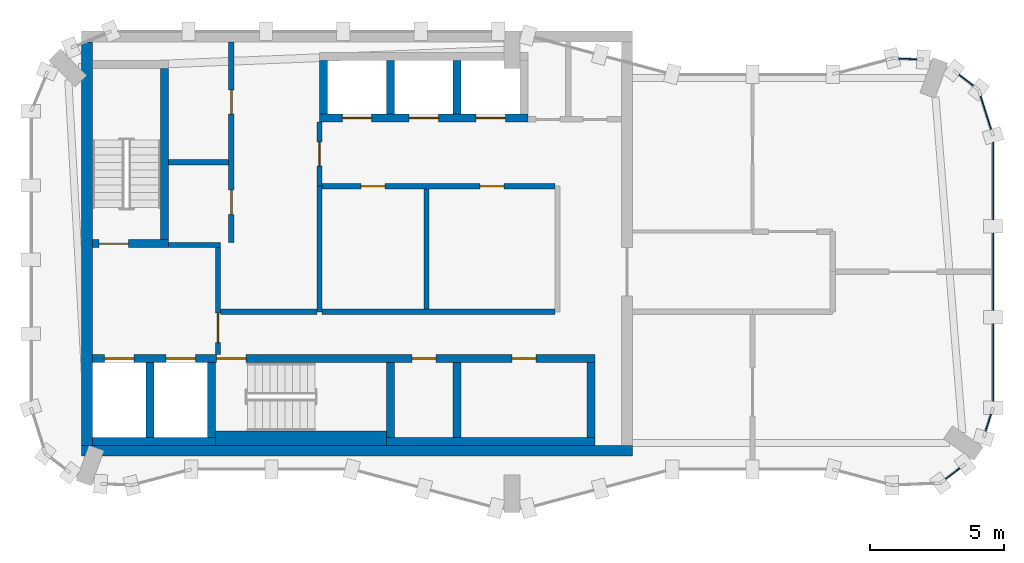
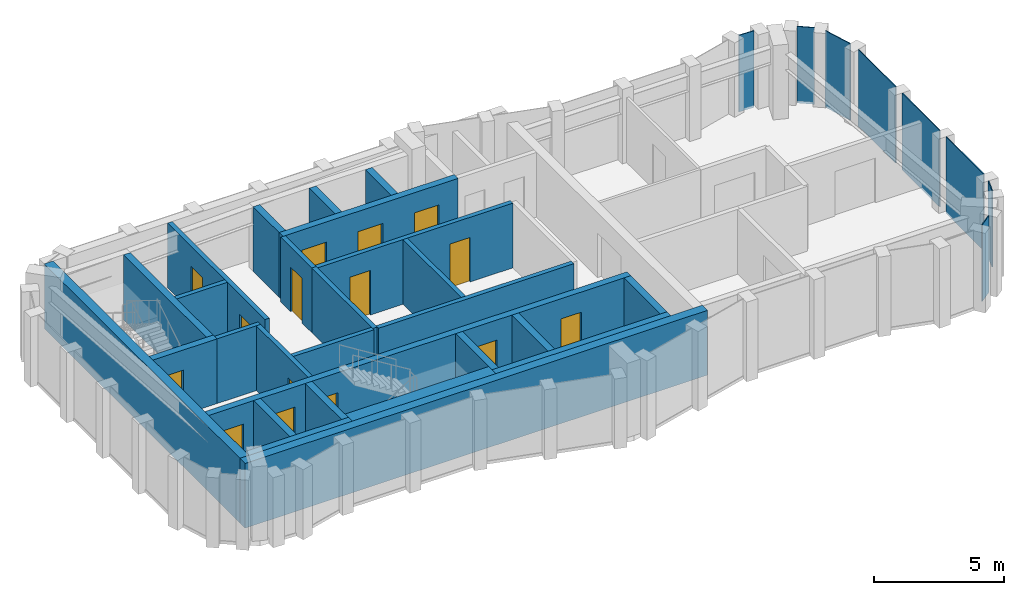
# One storey, part 3 of 5: 27 walls, 15 doors, 8 plates, 15 openings, 6 elements without a shape of their own.
"""IFC4 building model written with IfcOpenShell, lengths in metres."""

from ifc_helpers import new_model, si_unit, direction, frame, frame_2d, origin, origin_2d, place, context, subcontext, project, spatial, rectangle, extrude, material, layer, layer_set, type_object, element, fill, aggregate, save


model = new_model("IFC4")

# Units and contexts
model_context = context("Model", 3, precision=1e-05, world=origin(), true_north=direction((0.0, 1.0)))
body_context = subcontext(model_context, "Body", "Model", "MODEL_VIEW")
ifc_project = project(units=[si_unit("LENGTHUNIT", "METRE"), si_unit("AREAUNIT", "SQUARE_METRE"), si_unit("VOLUMEUNIT", "CUBIC_METRE"), si_unit("PLANEANGLEUNIT", "RADIAN"), si_unit("MASSUNIT", "GRAM", prefix="KILO")], contexts=[model_context])

# Site, building, storey
site_placement = place(None, origin())
site = spatial("IfcSite", under=ifc_project, at=site_placement, CompositionType="ELEMENT")
building_placement = place(site_placement, origin())
building = spatial("IfcBuilding", under=site, at=building_placement, Name="Plateau Cross Towers", CompositionType="ELEMENT")
storey_placement = place(building_placement, frame((0.0, 0.0, 298.39990234375)))
storey = spatial("IfcBuildingStorey", under=building, at=storey_placement, Name="L79 Crown 2", CompositionType="ELEMENT", Elevation=298.39990234375)

# Curtain wall, plate
ifc_material_1 = material(Name="Dark low-iron glass", Category="glass")
ifc_layer_1 = layer(ifc_material_1, 0.800048828125)
ifc_layer_set_1 = layer_set([ifc_layer_1], Name="Dark low-iron glass")
curtain_wall_type = type_object("IfcCurtainWallType", Name="Curtain wall sky lounge CW-D", PredefinedType="NOTDEFINED", material=ifc_layer_set_1)
curtain_wall_1_placement = place(storey_placement, origin())
curtain_wall_1 = element("IfcCurtainWall", 1, at=curtain_wall_1_placement, inside=storey, type_object=curtain_wall_type, Name="ENV/A/L79 Crown 2/A340_11", PredefinedType="NOTDEFINED")
ifc_layer_2 = layer(ifc_material_1, 0.0400390625)
ifc_layer_set_2 = layer_set([ifc_layer_2], Name="Dark low-iron glass")
plate_type = type_object("IfcPlateType", Name="Glass panel 40 sky lounge", PredefinedType="CURTAIN_PANEL", material=ifc_layer_set_2)
plate_1_placement = place(storey_placement, frame((34.48876953125, 1.445068359375, -0.10986328125), z_axis=(0.0, 0.0, 1.0), x_axis=(0.793315514529, 0.608810721331, 0.0)))
plate_1 = element("IfcPlate", 2, at=plate_1_placement, type_object=plate_type, Name="CW-D panel 1", PredefinedType="CURTAIN_PANEL", context=body_context, shape_type="SweptSolid", body=[
    extrude(rectangle(XDim=0.666259765625, YDim=0.0400390625, at=origin_2d()), origin(), (0.0, 0.0, 1.0), 3.610107421875),
])
aggregate(curtain_wall_1, [plate_1])

curtain_wall_2_placement = place(storey_placement, origin())
curtain_wall_2 = element("IfcCurtainWall", 3, at=curtain_wall_2_placement, inside=storey, type_object=curtain_wall_type, Name="ENV/A/L79 Crown 2/A356_28", PredefinedType="NOTDEFINED")
plate_2_placement = place(storey_placement, frame((35.82470703125, 3.35302734375, -0.10986328125), z_axis=(0.0, 0.0, 1.0), x_axis=(0.300686174994, 0.95372313811, 0.0)))
plate_2 = element("IfcPlate", 4, at=plate_2_placement, type_object=plate_type, Name="CW-D panel 1", PredefinedType="CURTAIN_PANEL", context=body_context, shape_type="SweptSolid", body=[
    extrude(rectangle(XDim=0.666259765625, YDim=0.0400390625, at=origin_2d()), origin(), (0.0, 0.0, 1.0), 3.610107421875),
])
aggregate(curtain_wall_2, [plate_2])

# Curtain wall, plates
curtain_wall_3_placement = place(storey_placement, origin())
curtain_wall_3 = element("IfcCurtainWall", 5, at=curtain_wall_3_placement, inside=storey, type_object=curtain_wall_type, Name="ENV/A/L79 Crown 2/A360_39", PredefinedType="NOTDEFINED")
plate_3_placement = place(storey_placement, frame((36.0, 5.606201171875, -0.10986328125), z_axis=(0.0, 0.0, 1.0), x_axis=(0.0, 1.0, 0.0)))
plate_3 = element("IfcPlate", 6, at=plate_3_placement, type_object=plate_type, Name="CW-D panel 1", PredefinedType="CURTAIN_PANEL", context=body_context, shape_type="SweptSolid", body=[
    extrude(rectangle(XDim=2.893798828125, YDim=0.0400390625, at=origin_2d()), origin(), (0.0, 0.0, 1.0), 3.610107421875),
])
plate_4_placement = place(storey_placement, frame((36.0, 9.0, -0.10986328125), z_axis=(0.0, 0.0, 1.0), x_axis=(0.0, 1.0, 0.0)))
plate_4 = element("IfcPlate", 7, at=plate_4_placement, type_object=plate_type, Name="CW-D panel 2", PredefinedType="CURTAIN_PANEL", context=body_context, shape_type="SweptSolid", body=[
    extrude(rectangle(XDim=2.893798828125, YDim=0.0400390625, at=origin_2d()), origin(), (0.0, 0.0, 1.0), 3.610107421875),
])
plate_5_placement = place(storey_placement, frame((36.0, 12.393798828125, -0.10986328125), z_axis=(0.0, 0.0, 1.0), x_axis=(0.0, 1.0, 0.0)))
plate_5 = element("IfcPlate", 8, at=plate_5_placement, type_object=plate_type, Name="CW-D panel 3", PredefinedType="CURTAIN_PANEL", context=body_context, shape_type="SweptSolid", body=[
    extrude(rectangle(XDim=2.893798828125, YDim=0.0400390625, at=origin_2d()), origin(), (0.0, 0.0, 1.0), 3.610107421875),
])
aggregate(curtain_wall_3, [plate_3, plate_4, plate_5])

# Curtain wall, plate
curtain_wall_4_placement = place(storey_placement, origin())
curtain_wall_4 = element("IfcCurtainWall", 9, at=curtain_wall_4_placement, inside=storey, type_object=curtain_wall_type, Name="ENV/A/L79 Crown 2/A360_141", PredefinedType="NOTDEFINED")
plate_6_placement = place(storey_placement, frame((35.728759765625, 14.951171875, -0.10986328125), z_axis=(0.0, 0.0, 1.0), x_axis=(-0.300686174994, 0.95372313811, 0.0)))
plate_6 = element("IfcPlate", 10, at=plate_6_placement, type_object=plate_type, Name="CW-D panel 1", PredefinedType="CURTAIN_PANEL", context=body_context, shape_type="SweptSolid", body=[
    extrude(rectangle(XDim=1.30419921875, YDim=0.0400390625, at=origin_2d()), origin(), (0.0, 0.0, 1.0), 3.610107421875),
])
aggregate(curtain_wall_4, [plate_6])

curtain_wall_5_placement = place(storey_placement, origin())
curtain_wall_5 = element("IfcCurtainWall", 11, at=curtain_wall_5_placement, inside=storey, type_object=curtain_wall_type, Name="ENV/A/L79 Crown 2/A355_158", PredefinedType="NOTDEFINED")
plate_7_placement = place(storey_placement, frame((34.994873046875, 16.16650390625, -0.10986328125), z_axis=(0.0, 0.0, 1.0), x_axis=(-0.793315514529, 0.608810721331, 0.0)))
plate_7 = element("IfcPlate", 12, at=plate_7_placement, type_object=plate_type, Name="CW-D panel 1", PredefinedType="CURTAIN_PANEL", context=body_context, shape_type="SweptSolid", body=[
    extrude(rectangle(XDim=0.666259765625, YDim=0.0400390625, at=origin_2d()), origin(), (0.0, 0.0, 1.0), 3.610107421875),
])
aggregate(curtain_wall_5, [plate_7])

curtain_wall_6_placement = place(storey_placement, origin())
curtain_wall_6 = element("IfcCurtainWall", 13, at=curtain_wall_6_placement, inside=storey, type_object=curtain_wall_type, Name="ENV/A/L79 Crown 2/A334_169", PredefinedType="NOTDEFINED")
plate_8_placement = place(storey_placement, frame((32.806396484375, 16.963134765625, -0.10986328125), z_axis=(0.0, 0.0, 1.0), x_axis=(-0.999043701491, 0.043722791671, 0.0)))
plate_8 = element("IfcPlate", 14, at=plate_8_placement, type_object=plate_type, Name="CW-D panel 1", PredefinedType="CURTAIN_PANEL", context=body_context, shape_type="SweptSolid", body=[
    extrude(rectangle(XDim=0.666259765625, YDim=0.0400390625, at=origin_2d()), origin(), (0.0, 0.0, 1.0), 3.610107421875),
])
aggregate(curtain_wall_6, [plate_8])

# Wall, opening, door
ifc_material_2 = material(Name="Concrete block, plastered both sides", Category="concrete")
ifc_layer_3 = layer(ifc_material_2, 0.199951171875)
ifc_layer_set_3 = layer_set([ifc_layer_3], Name="Concrete block, plastered both sides")
wall_type_1 = type_object("IfcWallType", Name="Core partition 200", PredefinedType="PARTITIONING", material=ifc_layer_set_3)
wall_1_placement = place(storey_placement, frame((7.0, 5.89990234375, 0.0), z_axis=(0.0, 0.0, 1.0), x_axis=(0.0, 1.0, 0.0)))
wall_1 = element("IfcWall", 15, at=wall_1_placement, inside=storey, type_object=wall_type_1, Name="Core partition", PredefinedType="PARTITIONING", context=body_context, shape_type="SweptSolid", body=[
    extrude(rectangle(XDim=4.0, YDim=0.199951171875, at=frame_2d((2.0, 0.0))), origin(), (0.0, 0.0, 1.0), 3.050048828125),
])
opening_1_placement = place(wall_1_placement, frame((0.449951171875, 0.0, 0.0)))
opening_1 = element("IfcOpeningElement", 16, at=opening_1_placement, cuts=wall_1, Name="Opening FFD", PredefinedType="OPENING", context=body_context, shape_type="SweptSolid", body=[
    extrude(rectangle(XDim=1.10009765625, YDim=2.10009765625, at=frame_2d((0.550048828125, 1.050048828125))), frame((0.0, 0.10986328125, 0.0), z_axis=(0.0, -1.0, 0.0), x_axis=(1.0, 0.0, 0.0)), (0.0, 0.0, 1.0), 0.219970703125),
])
ifc_material_3 = material(Name="Steel, fire-resisting leaf", Category="steel")
door_type_1 = type_object("IfcDoorType", Name="Firefighting lobby door 1100", OperationType="NOTDEFINED", PredefinedType="DOOR", material=ifc_material_3)
door_1_placement = place(opening_1_placement, origin())
door_1 = element("IfcDoor", 17, at=door_1_placement, inside=storey, type_object=door_type_1, Name="Firefighting lobby door FFD", OperationType="SINGLE_SWING_LEFT", OverallHeight=2.10009765625, OverallWidth=1.10009765625, PredefinedType="DOOR", context=body_context, shape_type="SweptSolid", body=[
    extrude(rectangle(XDim=1.10009765625, YDim=2.10009765625, at=frame_2d((0.550048828125, 1.050048828125))), frame((0.0, 0.02490234375, 0.0), z_axis=(0.0, -1.0, 0.0), x_axis=(1.0, 0.0, 0.0)), (0.0, 0.0, 1.0), 0.050048828125),
])
fill(opening_1, door_1)

# Walls
wall_2_placement = place(storey_placement, frame((5.14990234375, 10.0, 0.0), z_axis=(0.0, 0.0, 1.0), x_axis=(1.0, 0.0, 0.0)))
element("IfcWall", 18, at=wall_2_placement, inside=storey, type_object=wall_type_1, Name="Core partition", PredefinedType="PARTITIONING", context=body_context, shape_type="SweptSolid", body=[
    extrude(rectangle(XDim=1.9501953125, YDim=0.199951171875, at=frame_2d((0.97509765625, 0.0))), origin(), (0.0, 0.0, 1.0), 3.050048828125),
])
wall_3_placement = place(storey_placement, frame((7.10009765625, 7.5, 0.0), z_axis=(0.0, 0.0, 1.0), x_axis=(1.0, 0.0, 0.0)))
element("IfcWall", 19, at=wall_3_placement, inside=storey, type_object=wall_type_1, Name="Core partition", PredefinedType="PARTITIONING", context=body_context, shape_type="SweptSolid", body=[
    extrude(rectangle(XDim=3.599853515625, YDim=0.199951171875, at=frame_2d((1.7998046875, 0.0))), origin(), (0.0, 0.0, 1.0), 3.050048828125),
])

# Wall, opening, door
wall_4_placement = place(storey_placement, frame((10.800048828125, 12.199951171875, 0.0), z_axis=(0.0, 0.0, 1.0), x_axis=(0.0, 1.0, 0.0)))
wall_4 = element("IfcWall", 20, at=wall_4_placement, inside=storey, type_object=wall_type_1, Name="Core partition", PredefinedType="PARTITIONING", context=body_context, shape_type="SweptSolid", body=[
    extrude(rectangle(XDim=2.400146484375, YDim=0.199951171875, at=frame_2d((1.2001953125, 0.0))), origin(), (0.0, 0.0, 1.0), 3.050048828125),
])
opening_2_placement = place(wall_4_placement, frame((0.75, 0.0, 0.0)))
opening_2 = element("IfcOpeningElement", 21, at=opening_2_placement, cuts=wall_4, Name="Opening RD1", PredefinedType="OPENING", context=body_context, shape_type="SweptSolid", body=[
    extrude(rectangle(XDim=0.89990234375, YDim=2.10009765625, at=frame_2d((0.449951171875, 1.050048828125))), frame((0.0, 0.10986328125, 0.0), z_axis=(0.0, -1.0, 0.0), x_axis=(1.0, 0.0, 0.0)), (0.0, 0.0, 1.0), 0.219970703125),
])
ifc_material_4 = material(Name="Timber, fire-resisting leaf", Category="wood")
door_type_2 = type_object("IfcDoorType", Name="Core service door 900", OperationType="NOTDEFINED", PredefinedType="DOOR", material=ifc_material_4)
door_2_placement = place(opening_2_placement, origin())
door_2 = element("IfcDoor", 22, at=door_2_placement, inside=storey, type_object=door_type_2, Name="Core service door RD1", OperationType="SINGLE_SWING_LEFT", OverallHeight=2.10009765625, OverallWidth=0.89990234375, PredefinedType="DOOR", context=body_context, shape_type="SweptSolid", body=[
    extrude(rectangle(XDim=0.89990234375, YDim=2.10009765625, at=frame_2d((0.449951171875, 1.050048828125))), frame((0.0, 0.02490234375, 0.0), z_axis=(0.0, -1.0, 0.0), x_axis=(1.0, 0.0, 0.0)), (0.0, 0.0, 1.0), 0.050048828125),
])
fill(opening_2, door_2)

# Walls
wall_5_placement = place(storey_placement, frame((10.800048828125, 7.5, 0.0), z_axis=(0.0, 0.0, 1.0), x_axis=(0.0, 1.0, 0.0)))
element("IfcWall", 23, at=wall_5_placement, inside=storey, type_object=wall_type_1, Name="Core partition", PredefinedType="PARTITIONING", context=body_context, shape_type="SweptSolid", body=[
    extrude(rectangle(XDim=4.699951171875, YDim=0.199951171875, at=frame_2d((2.35009765625, 0.0))), origin(), (0.0, 0.0, 1.0), 3.050048828125),
])
wall_6_placement = place(storey_placement, frame((10.89990234375, 7.5, 0.0), z_axis=(0.0, 0.0, 1.0), x_axis=(1.0, 0.0, 0.0)))
element("IfcWall", 24, at=wall_6_placement, inside=storey, type_object=wall_type_1, Name="Core partition", PredefinedType="PARTITIONING", context=body_context, shape_type="SweptSolid", body=[
    extrude(rectangle(XDim=8.7001953125, YDim=0.199951171875, at=frame_2d((4.35009765625, 0.0))), origin(), (0.0, 0.0, 1.0), 3.050048828125),
])

# Wall, openings, doors
wall_7_placement = place(storey_placement, frame((10.89990234375, 12.199951171875, 0.0), z_axis=(0.0, 0.0, 1.0), x_axis=(1.0, 0.0, 0.0)))
wall_7 = element("IfcWall", 25, at=wall_7_placement, inside=storey, type_object=wall_type_1, Name="Core partition", PredefinedType="PARTITIONING", context=body_context, shape_type="SweptSolid", body=[
    extrude(rectangle(XDim=8.7001953125, YDim=0.199951171875, at=frame_2d((4.35009765625, 0.0))), origin(), (0.0, 0.0, 1.0), 3.050048828125),
])
opening_3_placement = place(wall_7_placement, frame((1.449951171875, 0.0, 0.0)))
opening_3 = element("IfcOpeningElement", 26, at=opening_3_placement, cuts=wall_7, Name="Opening RD1", PredefinedType="OPENING", context=body_context, shape_type="SweptSolid", body=[
    extrude(rectangle(XDim=0.89990234375, YDim=2.10009765625, at=frame_2d((0.449951171875, 1.050048828125))), frame((0.0, 0.10986328125, 0.0), z_axis=(0.0, -1.0, 0.0), x_axis=(1.0, 0.0, 0.0)), (0.0, 0.0, 1.0), 0.219970703125),
])
opening_4_placement = place(wall_7_placement, frame((5.89990234375, 0.0, 0.0)))
opening_4 = element("IfcOpeningElement", 27, at=opening_4_placement, cuts=wall_7, Name="Opening RD1", PredefinedType="OPENING", context=body_context, shape_type="SweptSolid", body=[
    extrude(rectangle(XDim=0.89990234375, YDim=2.10009765625, at=frame_2d((0.449951171875, 1.050048828125))), frame((0.0, 0.10986328125, 0.0), z_axis=(0.0, -1.0, 0.0), x_axis=(1.0, 0.0, 0.0)), (0.0, 0.0, 1.0), 0.219970703125),
])
door_3_placement = place(opening_3_placement, origin())
door_3 = element("IfcDoor", 28, at=door_3_placement, inside=storey, type_object=door_type_2, Name="Core service door RD1", OperationType="SINGLE_SWING_LEFT", OverallHeight=2.10009765625, OverallWidth=0.89990234375, PredefinedType="DOOR", context=body_context, shape_type="SweptSolid", body=[
    extrude(rectangle(XDim=0.89990234375, YDim=2.10009765625, at=frame_2d((0.449951171875, 1.050048828125))), frame((0.0, 0.02490234375, 0.0), z_axis=(0.0, -1.0, 0.0), x_axis=(1.0, 0.0, 0.0)), (0.0, 0.0, 1.0), 0.050048828125),
])
fill(opening_3, door_3)
door_4_placement = place(opening_4_placement, origin())
door_4 = element("IfcDoor", 29, at=door_4_placement, inside=storey, type_object=door_type_2, Name="Core service door RD1", OperationType="SINGLE_SWING_LEFT", OverallHeight=2.10009765625, OverallWidth=0.89990234375, PredefinedType="DOOR", context=body_context, shape_type="SweptSolid", body=[
    extrude(rectangle(XDim=0.89990234375, YDim=2.10009765625, at=frame_2d((0.449951171875, 1.050048828125))), frame((0.0, 0.02490234375, 0.0), z_axis=(0.0, -1.0, 0.0), x_axis=(1.0, 0.0, 0.0)), (0.0, 0.0, 1.0), 0.050048828125),
])
fill(opening_4, door_4)

# Wall
wall_8_placement = place(storey_placement, frame((14.800048828125, 7.60009765625, 0.0), z_axis=(0.0, 0.0, 1.0), x_axis=(0.0, 1.0, 0.0)))
element("IfcWall", 30, at=wall_8_placement, inside=storey, type_object=wall_type_1, Name="Core partition", PredefinedType="PARTITIONING", context=body_context, shape_type="SweptSolid", body=[
    extrude(rectangle(XDim=4.5, YDim=0.199951171875, at=frame_2d((2.25, 0.0))), origin(), (0.0, 0.0, 1.0), 3.050048828125),
])

# Wall, openings, doors
wall_9_placement = place(storey_placement, frame((7.5, 10.10009765625, 0.0), z_axis=(0.0, 0.0, 1.0), x_axis=(0.0, 1.0, 0.0)))
wall_9 = element("IfcWall", 31, at=wall_9_placement, inside=storey, type_object=wall_type_1, Name="Core partition", PredefinedType="PARTITIONING", context=body_context, shape_type="SweptSolid", body=[
    extrude(rectangle(XDim=7.5, YDim=0.199951171875, at=frame_2d((3.75, 0.0))), origin(), (0.0, 0.0, 1.0), 3.050048828125),
])
opening_5_placement = place(wall_9_placement, frame((1.050048828125, 0.0, 0.0)))
opening_5 = element("IfcOpeningElement", 32, at=opening_5_placement, cuts=wall_9, Name="Opening RD1", PredefinedType="OPENING", context=body_context, shape_type="SweptSolid", body=[
    extrude(rectangle(XDim=0.89990234375, YDim=2.10009765625, at=frame_2d((0.449951171875, 1.050048828125))), frame((0.0, 0.10986328125, 0.0), z_axis=(0.0, -1.0, 0.0), x_axis=(1.0, 0.0, 0.0)), (0.0, 0.0, 1.0), 0.219970703125),
])
opening_6_placement = place(wall_9_placement, frame((4.800048828125, 0.0, 0.0)))
opening_6 = element("IfcOpeningElement", 33, at=opening_6_placement, cuts=wall_9, Name="Opening RD1", PredefinedType="OPENING", context=body_context, shape_type="SweptSolid", body=[
    extrude(rectangle(XDim=0.89990234375, YDim=2.10009765625, at=frame_2d((0.449951171875, 1.050048828125))), frame((0.0, 0.10986328125, 0.0), z_axis=(0.0, -1.0, 0.0), x_axis=(1.0, 0.0, 0.0)), (0.0, 0.0, 1.0), 0.219970703125),
])
door_5_placement = place(opening_5_placement, origin())
door_5 = element("IfcDoor", 34, at=door_5_placement, inside=storey, type_object=door_type_2, Name="Core service door RD1", OperationType="SINGLE_SWING_RIGHT", OverallHeight=2.10009765625, OverallWidth=0.89990234375, PredefinedType="DOOR", context=body_context, shape_type="SweptSolid", body=[
    extrude(rectangle(XDim=0.89990234375, YDim=2.10009765625, at=frame_2d((0.449951171875, 1.050048828125))), frame((0.0, 0.02490234375, 0.0), z_axis=(0.0, -1.0, 0.0), x_axis=(1.0, 0.0, 0.0)), (0.0, 0.0, 1.0), 0.050048828125),
])
fill(opening_5, door_5)
door_6_placement = place(opening_6_placement, origin())
door_6 = element("IfcDoor", 35, at=door_6_placement, inside=storey, type_object=door_type_2, Name="Core service door RD1", OperationType="SINGLE_SWING_RIGHT", OverallHeight=2.10009765625, OverallWidth=0.89990234375, PredefinedType="DOOR", context=body_context, shape_type="SweptSolid", body=[
    extrude(rectangle(XDim=0.89990234375, YDim=2.10009765625, at=frame_2d((0.449951171875, 1.050048828125))), frame((0.0, 0.02490234375, 0.0), z_axis=(0.0, -1.0, 0.0), x_axis=(1.0, 0.0, 0.0)), (0.0, 0.0, 1.0), 0.050048828125),
])
fill(opening_6, door_6)

# Walls
wall_10_placement = place(storey_placement, frame((5.14990234375, 13.10009765625, 0.0), z_axis=(0.0, 0.0, 1.0), x_axis=(1.0, 0.0, 0.0)))
element("IfcWall", 36, at=wall_10_placement, inside=storey, type_object=wall_type_1, Name="Core partition", PredefinedType="PARTITIONING", context=body_context, shape_type="SweptSolid", body=[
    extrude(rectangle(XDim=2.25, YDim=0.199951171875, at=frame_2d((1.125, 0.0))), origin(), (0.0, 0.0, 1.0), 3.050048828125),
])
ifc_material_5 = material(Name="Concrete C60/75", Category="concrete")
ifc_layer_4 = layer(ifc_material_5, 0.300048828125)
ifc_layer_set_4 = layer_set([ifc_layer_4], Name="Concrete C60/75")
wall_type_2 = type_object("IfcWallType", Name="Core shaft wall 300", PredefinedType="SHEAR", material=ifc_layer_set_4)
wall_11_placement = place(storey_placement, frame((2.300048828125, 2.64990234375, 0.0), z_axis=(0.0, 0.0, 1.0), x_axis=(1.0, 0.0, 0.0)))
element("IfcWall", 37, at=wall_11_placement, inside=storey, type_object=wall_type_2, Name="A-sb-back1@L79 Crown 2", PredefinedType="SHEAR", context=body_context, shape_type="SweptSolid", body=[
    extrude(rectangle(XDim=4.599853515625, YDim=0.300048828125, at=frame_2d((2.2998046875, 0.0))), origin(), (0.0, 0.0, 1.0), 3.050048828125),
])
wall_12_placement = place(storey_placement, frame((13.300048828125, 2.64990234375, 0.0), z_axis=(0.0, 0.0, 1.0), x_axis=(1.0, 0.0, 0.0)))
element("IfcWall", 38, at=wall_12_placement, inside=storey, type_object=wall_type_2, Name="A-sb-back3@L79 Crown 2", PredefinedType="SHEAR", context=body_context, shape_type="SweptSolid", body=[
    extrude(rectangle(XDim=7.800048828125, YDim=0.300048828125, at=frame_2d((3.89990234375, 0.0))), origin(), (0.0, 0.0, 1.0), 3.050048828125),
])
for number, where, z_axis, x_axis, name in (
    (39, (4.449951171875, 2.800048828125, 0.0), (0.0, 0.0, 1.0), (0.0, 1.0, 0.0), "A-sb-v1@L79 Crown 2"),
    (40, (6.75, 2.800048828125, 0.0), (0.0, 0.0, 1.0), (0.0, 1.0, 0.0), "A-sb-v2@L79 Crown 2"),
    (41, (13.449951171875, 2.800048828125, 0.0), (0.0, 0.0, 1.0), (0.0, 1.0, 0.0), "A-sb-v3@L79 Crown 2"),
    (42, (15.949951171875, 2.800048828125, 0.0), (0.0, 0.0, 1.0), (0.0, 1.0, 0.0), "A-sb-v4@L79 Crown 2"),
    (43, (20.949951171875, 2.800048828125, 0.0), (0.0, 0.0, 1.0), (0.0, 1.0, 0.0), "A-sb-v6@L79 Crown 2"),
):
    element("IfcWall", number, at=place(storey_placement, frame(where, z_axis=z_axis, x_axis=x_axis)), inside=storey, type_object=wall_type_2, Name=name, PredefinedType="SHEAR", context=body_context, shape_type="SweptSolid", body=[
        extrude(rectangle(XDim=2.800048828125, YDim=0.300048828125, at=frame_2d((1.39990234375, 0.0))), origin(), (0.0, 0.0, 1.0), 3.050048828125),
    ])

# Wall, openings, doors
wall_13_placement = place(storey_placement, frame((2.300048828125, 5.75, 0.0), z_axis=(0.0, 0.0, 1.0), x_axis=(1.0, 0.0, 0.0)))
wall_13 = element("IfcWall", 44, at=wall_13_placement, inside=storey, type_object=wall_type_2, Name="A-sb-front@L79 Crown 2", PredefinedType="SHEAR", context=body_context, shape_type="SweptSolid", body=[
    extrude(rectangle(XDim=18.800048828125, YDim=0.300048828125, at=frame_2d((9.39990234375, 0.0))), origin(), (0.0, 0.0, 1.0), 3.050048828125),
])
opening_7_placement = place(wall_13_placement, frame((4.64990234375, 0.0, 0.0)))
opening_7 = element("IfcOpeningElement", 45, at=opening_7_placement, cuts=wall_13, Name="Opening SD", PredefinedType="OPENING", context=body_context, shape_type="SweptSolid", body=[
    extrude(rectangle(XDim=1.10009765625, YDim=2.10009765625, at=frame_2d((0.550048828125, 1.050048828125))), frame((0.0, 0.159912109375, 0.0), z_axis=(0.0, -1.0, 0.0), x_axis=(1.0, 0.0, 0.0)), (0.0, 0.0, 1.0), 0.320068359375),
])
opening_8_placement = place(wall_13_placement, frame((0.449951171875, 0.0, 0.0)))
opening_8 = element("IfcOpeningElement", 46, at=opening_8_placement, cuts=wall_13, Name="Opening LD", PredefinedType="OPENING", context=body_context, shape_type="SweptSolid", body=[
    extrude(rectangle(XDim=1.10009765625, YDim=2.10009765625, at=frame_2d((0.550048828125, 1.050048828125))), frame((0.0, 0.159912109375, 0.0), z_axis=(0.0, -1.0, 0.0), x_axis=(1.0, 0.0, 0.0)), (0.0, 0.0, 1.0), 0.320068359375),
])
opening_9_placement = place(wall_13_placement, frame((2.75, 0.0, 0.0)))
opening_9 = element("IfcOpeningElement", 47, at=opening_9_placement, cuts=wall_13, Name="Opening LD", PredefinedType="OPENING", context=body_context, shape_type="SweptSolid", body=[
    extrude(rectangle(XDim=1.10009765625, YDim=2.10009765625, at=frame_2d((0.550048828125, 1.050048828125))), frame((0.0, 0.159912109375, 0.0), z_axis=(0.0, -1.0, 0.0), x_axis=(1.0, 0.0, 0.0)), (0.0, 0.0, 1.0), 0.320068359375),
])
opening_10_placement = place(wall_13_placement, frame((11.949951171875, 0.0, 0.0)))
opening_10 = element("IfcOpeningElement", 48, at=opening_10_placement, cuts=wall_13, Name="Opening RD2", PredefinedType="OPENING", context=body_context, shape_type="SweptSolid", body=[
    extrude(rectangle(XDim=0.89990234375, YDim=2.10009765625, at=frame_2d((0.449951171875, 1.050048828125))), frame((0.0, 0.159912109375, 0.0), z_axis=(0.0, -1.0, 0.0), x_axis=(1.0, 0.0, 0.0)), (0.0, 0.0, 1.0), 0.320068359375),
])
opening_11_placement = place(wall_13_placement, frame((15.699951171875, 0.0, 0.0)))
opening_11 = element("IfcOpeningElement", 49, at=opening_11_placement, cuts=wall_13, Name="Opening RD2", PredefinedType="OPENING", context=body_context, shape_type="SweptSolid", body=[
    extrude(rectangle(XDim=0.89990234375, YDim=2.10009765625, at=frame_2d((0.449951171875, 1.050048828125))), frame((0.0, 0.159912109375, 0.0), z_axis=(0.0, -1.0, 0.0), x_axis=(1.0, 0.0, 0.0)), (0.0, 0.0, 1.0), 0.320068359375),
])
door_type_3 = type_object("IfcDoorType", Name="Core riser door 900", OperationType="NOTDEFINED", PredefinedType="DOOR", material=ifc_material_3)
door_7_placement = place(opening_10_placement, origin())
door_7 = element("IfcDoor", 50, at=door_7_placement, inside=storey, type_object=door_type_3, Name="Core riser door RD2", OperationType="SINGLE_SWING_LEFT", OverallHeight=2.10009765625, OverallWidth=0.89990234375, PredefinedType="DOOR", context=body_context, shape_type="SweptSolid", body=[
    extrude(rectangle(XDim=0.89990234375, YDim=2.10009765625, at=frame_2d((0.449951171875, 1.050048828125))), frame((0.0, 0.02490234375, 0.0), z_axis=(0.0, -1.0, 0.0), x_axis=(1.0, 0.0, 0.0)), (0.0, 0.0, 1.0), 0.050048828125),
])
fill(opening_10, door_7)
door_8_placement = place(opening_11_placement, origin())
door_8 = element("IfcDoor", 51, at=door_8_placement, inside=storey, type_object=door_type_3, Name="Core riser door RD2", OperationType="SINGLE_SWING_LEFT", OverallHeight=2.10009765625, OverallWidth=0.89990234375, PredefinedType="DOOR", context=body_context, shape_type="SweptSolid", body=[
    extrude(rectangle(XDim=0.89990234375, YDim=2.10009765625, at=frame_2d((0.449951171875, 1.050048828125))), frame((0.0, 0.02490234375, 0.0), z_axis=(0.0, -1.0, 0.0), x_axis=(1.0, 0.0, 0.0)), (0.0, 0.0, 1.0), 0.050048828125),
])
fill(opening_11, door_8)
ifc_material_6 = material(Name="Stainless steel, fire-resisting sliding leaves", Category="steel")
door_type_4 = type_object("IfcDoorType", Name="Lift landing door 1100", OperationType="NOTDEFINED", PredefinedType="DOOR", material=ifc_material_6)
door_9_placement = place(opening_8_placement, origin())
door_9 = element("IfcDoor", 52, at=door_9_placement, inside=storey, type_object=door_type_4, Name="Lift landing door LD", OperationType="DOUBLE_DOOR_SLIDING", OverallHeight=2.10009765625, OverallWidth=1.10009765625, PredefinedType="DOOR", context=body_context, shape_type="SweptSolid", body=[
    extrude(rectangle(XDim=1.10009765625, YDim=2.10009765625, at=frame_2d((0.550048828125, 1.050048828125))), frame((0.0, 0.02490234375, 0.0), z_axis=(0.0, -1.0, 0.0), x_axis=(1.0, 0.0, 0.0)), (0.0, 0.0, 1.0), 0.050048828125),
])
fill(opening_8, door_9)
door_10_placement = place(opening_9_placement, origin())
door_10 = element("IfcDoor", 53, at=door_10_placement, inside=storey, type_object=door_type_4, Name="Lift landing door LD", OperationType="DOUBLE_DOOR_SLIDING", OverallHeight=2.10009765625, OverallWidth=1.10009765625, PredefinedType="DOOR", context=body_context, shape_type="SweptSolid", body=[
    extrude(rectangle(XDim=1.10009765625, YDim=2.10009765625, at=frame_2d((0.550048828125, 1.050048828125))), frame((0.0, 0.02490234375, 0.0), z_axis=(0.0, -1.0, 0.0), x_axis=(1.0, 0.0, 0.0)), (0.0, 0.0, 1.0), 0.050048828125),
])
fill(opening_9, door_10)
door_type_5 = type_object("IfcDoorType", Name="Stair door 1100", OperationType="NOTDEFINED", PredefinedType="DOOR", material=ifc_material_3)
door_11_placement = place(opening_7_placement, origin())
door_11 = element("IfcDoor", 54, at=door_11_placement, inside=storey, type_object=door_type_5, Name="Stair door SD", OperationType="SINGLE_SWING_LEFT", OverallHeight=2.10009765625, OverallWidth=1.10009765625, PredefinedType="DOOR", context=body_context, shape_type="SweptSolid", body=[
    extrude(rectangle(XDim=1.10009765625, YDim=2.10009765625, at=frame_2d((0.550048828125, 1.050048828125))), frame((0.0, 0.02490234375, 0.0), z_axis=(0.0, -1.0, 0.0), x_axis=(1.0, 0.0, 0.0)), (0.0, 0.0, 1.0), 0.050048828125),
])
fill(opening_7, door_11)

# Wall, opening, door
wall_14_placement = place(storey_placement, frame((2.300048828125, 10.050048828125, 0.0), z_axis=(0.0, 0.0, 1.0), x_axis=(1.0, 0.0, 0.0)))
wall_14 = element("IfcWall", 55, at=wall_14_placement, inside=storey, type_object=wall_type_2, Name="A-st1-S@L79 Crown 2", PredefinedType="SHEAR", context=body_context, shape_type="SweptSolid", body=[
    extrude(rectangle(XDim=2.849853515625, YDim=0.300048828125, at=frame_2d((1.4248046875, 0.0))), origin(), (0.0, 0.0, 1.0), 3.050048828125),
])
opening_12_placement = place(wall_14_placement, frame((0.25, 0.0, 0.0)))
opening_12 = element("IfcOpeningElement", 56, at=opening_12_placement, cuts=wall_14, Name="Opening SD", PredefinedType="OPENING", context=body_context, shape_type="SweptSolid", body=[
    extrude(rectangle(XDim=1.10009765625, YDim=2.10009765625, at=frame_2d((0.550048828125, 1.050048828125))), frame((0.0, 0.159912109375, 0.0), z_axis=(0.0, -1.0, 0.0), x_axis=(1.0, 0.0, 0.0)), (0.0, 0.0, 1.0), 0.320068359375),
])
door_12_placement = place(opening_12_placement, origin())
door_12 = element("IfcDoor", 57, at=door_12_placement, inside=storey, type_object=door_type_5, Name="Stair door SD", OperationType="SINGLE_SWING_RIGHT", OverallHeight=2.10009765625, OverallWidth=1.10009765625, PredefinedType="DOOR", context=body_context, shape_type="SweptSolid", body=[
    extrude(rectangle(XDim=1.10009765625, YDim=2.10009765625, at=frame_2d((0.550048828125, 1.050048828125))), frame((0.0, 0.02490234375, 0.0), z_axis=(0.0, -1.0, 0.0), x_axis=(1.0, 0.0, 0.0)), (0.0, 0.0, 1.0), 0.050048828125),
])
fill(opening_12, door_12)

# Wall
wall_15_placement = place(storey_placement, frame((5.0, 10.199951171875, 0.0), z_axis=(0.0, 0.0, 1.0), x_axis=(0.0, 1.0, 0.0)))
element("IfcWall", 58, at=wall_15_placement, inside=storey, type_object=wall_type_2, Name="A-st1-E@L79 Crown 2", PredefinedType="SHEAR", context=body_context, shape_type="SweptSolid", body=[
    extrude(rectangle(XDim=6.400146484375, YDim=0.300048828125, at=frame_2d((3.2001953125, 0.0))), origin(), (0.0, 0.0, 1.0), 3.050048828125),
])

# Wall, openings, doors
wall_16_placement = place(storey_placement, frame((10.800048828125, 14.75, 0.0), z_axis=(0.0, 0.0, 1.0), x_axis=(1.0, 0.0, 0.0)))
wall_16 = element("IfcWall", 59, at=wall_16_placement, inside=storey, type_object=wall_type_2, Name="A-nb-front@L79 Crown 2", PredefinedType="SHEAR", context=body_context, shape_type="SweptSolid", body=[
    extrude(rectangle(XDim=7.800048828125, YDim=0.300048828125, at=frame_2d((3.89990234375, 0.0))), origin(), (0.0, 0.0, 1.0), 3.050048828125),
])
opening_13_placement = place(wall_16_placement, frame((0.85009765625, 0.0, 0.0)))
opening_13 = element("IfcOpeningElement", 60, at=opening_13_placement, cuts=wall_16, Name="Opening LD", PredefinedType="OPENING", context=body_context, shape_type="SweptSolid", body=[
    extrude(rectangle(XDim=1.10009765625, YDim=2.10009765625, at=frame_2d((0.550048828125, 1.050048828125))), frame((0.0, 0.159912109375, 0.0), z_axis=(0.0, -1.0, 0.0), x_axis=(1.0, 0.0, 0.0)), (0.0, 0.0, 1.0), 0.320068359375),
])
opening_14_placement = place(wall_16_placement, frame((3.35009765625, 0.0, 0.0)))
opening_14 = element("IfcOpeningElement", 61, at=opening_14_placement, cuts=wall_16, Name="Opening LD", PredefinedType="OPENING", context=body_context, shape_type="SweptSolid", body=[
    extrude(rectangle(XDim=1.10009765625, YDim=2.10009765625, at=frame_2d((0.550048828125, 1.050048828125))), frame((0.0, 0.159912109375, 0.0), z_axis=(0.0, -1.0, 0.0), x_axis=(1.0, 0.0, 0.0)), (0.0, 0.0, 1.0), 0.320068359375),
])
opening_15_placement = place(wall_16_placement, frame((5.85009765625, 0.0, 0.0)))
opening_15 = element("IfcOpeningElement", 62, at=opening_15_placement, cuts=wall_16, Name="Opening LD", PredefinedType="OPENING", context=body_context, shape_type="SweptSolid", body=[
    extrude(rectangle(XDim=1.10009765625, YDim=2.10009765625, at=frame_2d((0.550048828125, 1.050048828125))), frame((0.0, 0.159912109375, 0.0), z_axis=(0.0, -1.0, 0.0), x_axis=(1.0, 0.0, 0.0)), (0.0, 0.0, 1.0), 0.320068359375),
])
door_13_placement = place(opening_13_placement, origin())
door_13 = element("IfcDoor", 63, at=door_13_placement, inside=storey, type_object=door_type_4, Name="Lift landing door LD", OperationType="DOUBLE_DOOR_SLIDING", OverallHeight=2.10009765625, OverallWidth=1.10009765625, PredefinedType="DOOR", context=body_context, shape_type="SweptSolid", body=[
    extrude(rectangle(XDim=1.10009765625, YDim=2.10009765625, at=frame_2d((0.550048828125, 1.050048828125))), frame((0.0, 0.02490234375, 0.0), z_axis=(0.0, -1.0, 0.0), x_axis=(1.0, 0.0, 0.0)), (0.0, 0.0, 1.0), 0.050048828125),
])
fill(opening_13, door_13)
door_14_placement = place(opening_14_placement, origin())
door_14 = element("IfcDoor", 64, at=door_14_placement, inside=storey, type_object=door_type_4, Name="Lift landing door LD", OperationType="DOUBLE_DOOR_SLIDING", OverallHeight=2.10009765625, OverallWidth=1.10009765625, PredefinedType="DOOR", context=body_context, shape_type="SweptSolid", body=[
    extrude(rectangle(XDim=1.10009765625, YDim=2.10009765625, at=frame_2d((0.550048828125, 1.050048828125))), frame((0.0, 0.02490234375, 0.0), z_axis=(0.0, -1.0, 0.0), x_axis=(1.0, 0.0, 0.0)), (0.0, 0.0, 1.0), 0.050048828125),
])
fill(opening_14, door_14)
door_15_placement = place(opening_15_placement, origin())
door_15 = element("IfcDoor", 65, at=door_15_placement, inside=storey, type_object=door_type_4, Name="Lift landing door LD", OperationType="DOUBLE_DOOR_SLIDING", OverallHeight=2.10009765625, OverallWidth=1.10009765625, PredefinedType="DOOR", context=body_context, shape_type="SweptSolid", body=[
    extrude(rectangle(XDim=1.10009765625, YDim=2.10009765625, at=frame_2d((0.550048828125, 1.050048828125))), frame((0.0, 0.02490234375, 0.0), z_axis=(0.0, -1.0, 0.0), x_axis=(1.0, 0.0, 0.0)), (0.0, 0.0, 1.0), 0.050048828125),
])
fill(opening_15, door_15)

# Walls
for number, where, z_axis, x_axis, name in (
    (66, (10.949951171875, 14.89990234375, 0.0), (0.0, 0.0, 1.0), (0.0, 1.0, 0.0), "A-nb-v1@L79 Crown 2"),
    (67, (13.449951171875, 14.89990234375, 0.0), (0.0, 0.0, 1.0), (0.0, 1.0, 0.0), "A-nb-v2@L79 Crown 2"),
    (68, (15.949951171875, 14.89990234375, 0.0), (0.0, 0.0, 1.0), (0.0, 1.0, 0.0), "A-nb-v3@L79 Crown 2"),
):
    element("IfcWall", number, at=place(storey_placement, frame(where, z_axis=z_axis, x_axis=x_axis)), inside=storey, type_object=wall_type_2, Name=name, PredefinedType="SHEAR", context=body_context, shape_type="SweptSolid", body=[
        extrude(rectangle(XDim=2.0, YDim=0.300048828125, at=frame_2d((1.0, 0.0))), origin(), (0.0, 0.0, 1.0), 3.050048828125),
    ])
ifc_layer_5 = layer(ifc_material_5, 0.550048828125)
ifc_layer_set_5 = layer_set([ifc_layer_5], Name="Concrete C60/75")
wall_type_3 = type_object("IfcWallType", Name="Core shaft wall 550", PredefinedType="SHEAR", material=ifc_layer_set_5)
wall_17_placement = place(storey_placement, frame((6.89990234375, 2.77490234375, 0.0), z_axis=(0.0, 0.0, 1.0), x_axis=(1.0, 0.0, 0.0)))
element("IfcWall", 69, at=wall_17_placement, inside=storey, type_object=wall_type_3, Name="A-sb-back2@L79 Crown 2", PredefinedType="SHEAR", context=body_context, shape_type="SweptSolid", body=[
    extrude(rectangle(XDim=6.400146484375, YDim=0.550048828125, at=frame_2d((3.2001953125, 0.0))), origin(), (0.0, 0.0, 1.0), 3.050048828125),
])
ifc_layer_6 = layer(ifc_material_5, 0.39990234375)
ifc_layer_set_6 = layer_set([ifc_layer_6], Name="Concrete C60/75")
wall_type_4 = type_object("IfcWallType", Name="Core shell wall 400", PredefinedType="SHEAR", material=ifc_layer_set_6)
wall_18_placement = place(storey_placement, frame((1.89990234375, 2.300048828125, 0.0), z_axis=(0.0, 0.0, 1.0), x_axis=(1.0, 0.0, 0.0)))
element("IfcWall", 70, at=wall_18_placement, inside=storey, type_object=wall_type_4, Name="A-core-S@L79 Crown 2", PredefinedType="SHEAR", context=body_context, shape_type="SweptSolid", body=[
    extrude(rectangle(XDim=20.60009765625, YDim=0.39990234375, at=frame_2d((10.300048828125, 0.0))), origin(), (0.0, 0.0, 1.0), 3.050048828125),
])
wall_19_placement = place(storey_placement, frame((2.10009765625, 2.5, 0.0), z_axis=(0.0, 0.0, 1.0), x_axis=(0.0, 1.0, 0.0)))
element("IfcWall", 71, at=wall_19_placement, inside=storey, type_object=wall_type_4, Name="A-core-W@L79 Crown 2", PredefinedType="SHEAR", context=body_context, shape_type="SweptSolid", body=[
    extrude(rectangle(XDim=15.10009765625, YDim=0.39990234375, at=frame_2d((7.550048828125, 0.0))), origin(), (0.0, 0.0, 1.0), 3.050048828125),
])

save(model, "model.ifc")
